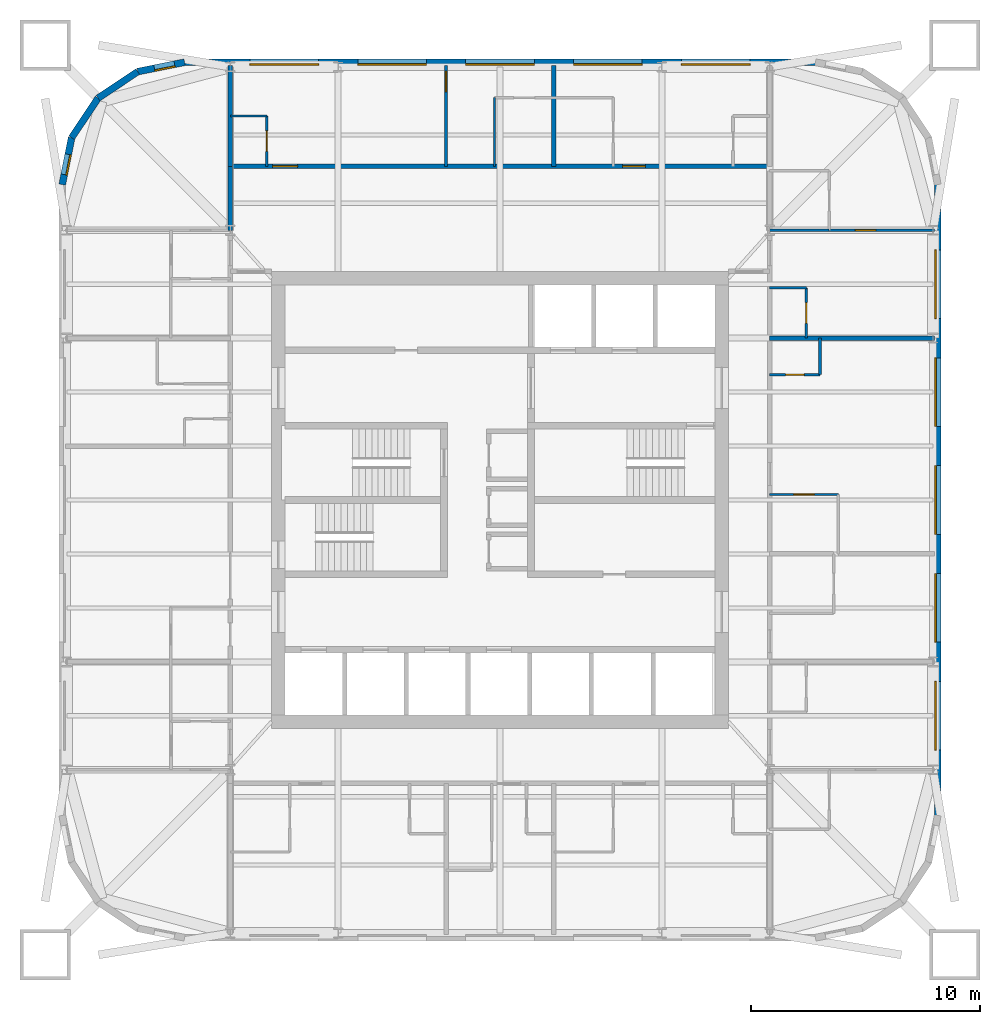
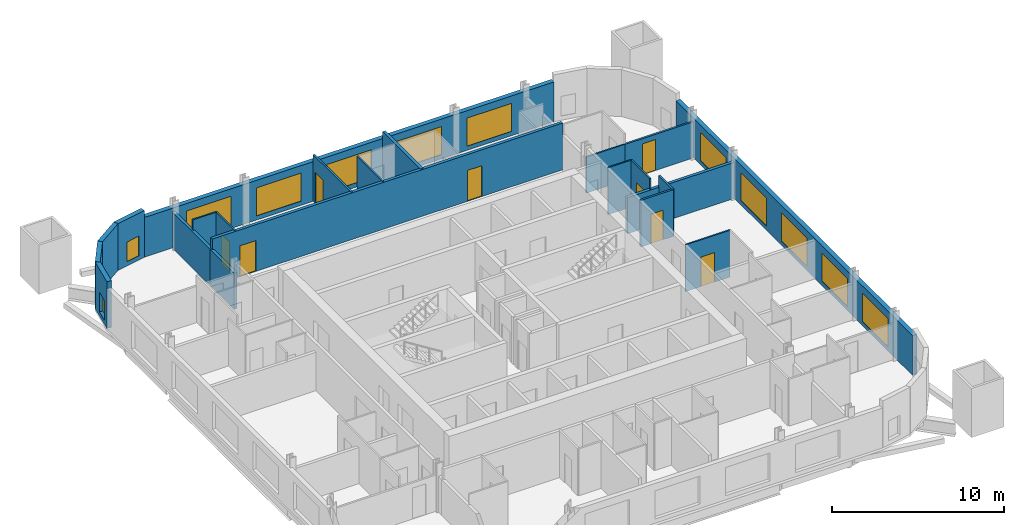
# One storey, part 6 of 8: 22 walls, 12 windows, 8 doors, 20 openings.
"""IFC4 building model written with IfcOpenShell, lengths in metres."""

from ifc_helpers import new_model, si_unit, direction, frame, frame_2d, origin, place, context, subcontext, project, spatial, rectangle, extrude, material, layer, layer_set, type_object, element, fill, save


model = new_model("IFC4")

# Units and contexts
model_context = context("Model", 3, precision=1e-05, world=origin(), true_north=direction((0.0, 1.0)))
body_context = subcontext(model_context, "Body", "Model", "MODEL_VIEW")
ifc_project = project(units=[si_unit("LENGTHUNIT", "METRE"), si_unit("AREAUNIT", "SQUARE_METRE"), si_unit("VOLUMEUNIT", "CUBIC_METRE"), si_unit("PLANEANGLEUNIT", "RADIAN"), si_unit("MASSUNIT", "GRAM", prefix="KILO")], contexts=[model_context])

# Site, building, storey
site_placement = place(None, origin())
site = spatial("IfcSite", under=ifc_project, at=site_placement, CompositionType="ELEMENT")
building_placement = place(site_placement, origin())
building = spatial("IfcBuilding", under=site, at=building_placement, Name="Turquesa Mirador Hotel Tower", CompositionType="ELEMENT")
storey_placement = place(building_placement, frame((0.0, 0.0, 165.300048828125)))
storey = spatial("IfcBuildingStorey", under=building, at=storey_placement, Name="L44", CompositionType="ELEMENT", Elevation=165.300048828125)

# Wall, opening, door
ifc_material_1 = material(Name="Gypsum board on steel studs", Category="steel")
ifc_layer_1 = layer(ifc_material_1, 0.10009765625)
ifc_layer_set_1 = layer_set([ifc_layer_1], Name="BATHROOM WALL 100")
wall_type_1 = type_object("IfcWallType", Name="BATHROOM WALL 100", PredefinedType="PARTITIONING", material=ifc_layer_set_1)
wall_1_placement = place(storey_placement, frame((66.800048828125, 45.239990234375, 0.0), z_axis=(0.0, 0.0, 1.0), x_axis=(1.0, 0.0, 0.0)))
wall_1 = element("IfcWall", 1, at=wall_1_placement, inside=storey, type_object=wall_type_1, Name="Partition L44 020", PredefinedType="PARTITIONING", context=body_context, shape_type="SweptSolid", body=[
    extrude(rectangle(XDim=3.0, YDim=0.10009765625, at=frame_2d((1.5, 0.0))), origin(), (0.0, 0.0, 1.0), 3.329833984375),
])
opening_1_placement = place(wall_1_placement, frame((1.050048828125, 0.0, 0.0)))
opening_1 = element("IfcOpeningElement", 2, at=opening_1_placement, cuts=wall_1, Name="Opening D02", PredefinedType="OPENING", context=body_context, shape_type="SweptSolid", body=[
    extrude(rectangle(XDim=0.89990234375, YDim=2.10009765625, at=frame_2d((0.449951171875, 1.050048828125))), frame((0.0, 0.06005859375, 0.0), z_axis=(0.0, -1.0, 0.0), x_axis=(1.0, 0.0, 0.0)), (0.0, 0.0, 1.0), 0.1201171875),
])
ifc_material_2 = material(Name="Timber veneered door", Category="wood")
door_type_1 = type_object("IfcDoorType", Name="DOOR 900X2100 EN-SUITE", OperationType="SINGLE_SWING_RIGHT", PredefinedType="DOOR", material=ifc_material_2)
door_1_placement = place(opening_1_placement, origin())
door_1 = element("IfcDoor", 3, at=door_1_placement, inside=storey, type_object=door_type_1, Name="Door 4407B", OperationType="SINGLE_SWING_RIGHT", OverallHeight=2.10009765625, OverallWidth=0.89990234375, PredefinedType="DOOR", context=body_context, shape_type="SweptSolid", body=[
    extrude(rectangle(XDim=0.89990234375, YDim=2.10009765625, at=frame_2d((0.449951171875, 1.050048828125))), frame((0.0, 0.02490234375, 0.0), z_axis=(0.0, -1.0, 0.0), x_axis=(1.0, 0.0, 0.0)), (0.0, 0.0, 1.0), 0.050048828125),
])
fill(opening_1, door_1)

# Walls
wall_2_placement = place(storey_placement, frame((66.800048828125, 56.800048828125, 0.0), z_axis=(0.0, 0.0, 1.0), x_axis=(1.0, 0.0, 0.0)))
element("IfcWall", 4, at=wall_2_placement, inside=storey, type_object=wall_type_1, Name="Partition L44 023", PredefinedType="PARTITIONING", context=body_context, shape_type="SweptSolid", body=[
    extrude(rectangle(XDim=2.599853515625, YDim=0.10009765625, at=frame_2d((1.2998046875, 0.0))), origin(), (0.0, 0.0, 1.0), 2.572998046875),
])
wall_3_placement = place(storey_placement, frame((43.199951171875, 61.800048828125, 0.0), z_axis=(0.0, 0.0, 1.0), x_axis=(1.0, 0.0, 0.0)))
element("IfcWall", 5, at=wall_3_placement, inside=storey, type_object=wall_type_1, Name="Partition L44 028", PredefinedType="PARTITIONING", context=body_context, shape_type="SweptSolid", body=[
    extrude(rectangle(XDim=1.60009765625, YDim=0.10009765625, at=frame_2d((0.800048828125, 0.0))), origin(), (0.0, 0.0, 1.0), 3.329833984375),
])
wall_4_placement = place(storey_placement, frame((66.800048828125, 54.280029296875, 0.0), z_axis=(0.0, 0.0, 1.0), x_axis=(1.0, 0.0, 0.0)))
element("IfcWall", 6, at=wall_4_placement, inside=storey, type_object=wall_type_1, Name="Partition L44 037", PredefinedType="PARTITIONING", context=body_context, shape_type="SweptSolid", body=[
    extrude(rectangle(XDim=1.599853515625, YDim=0.10009765625, at=frame_2d((0.7998046875, 0.0))), origin(), (0.0, 0.0, 1.0), 3.329833984375),
])
wall_5_placement = place(storey_placement, frame((54.760009765625, 59.60009765625, 0.0), z_axis=(0.0, 0.0, 1.0), x_axis=(0.0, 1.0, 0.0)))
element("IfcWall", 7, at=wall_5_placement, inside=storey, type_object=wall_type_1, Name="Partition L44 039", PredefinedType="PARTITIONING", context=body_context, shape_type="SweptSolid", body=[
    extrude(rectangle(XDim=3.0, YDim=0.10009765625, at=frame_2d((1.5, 0.0))), origin(), (0.0, 0.0, 1.0), 3.329833984375),
])

# Wall, opening, door
wall_6_placement = place(storey_placement, frame((44.800048828125, 59.60009765625, 0.0), z_axis=(0.0, 0.0, 1.0), x_axis=(0.0, 1.0, 0.0)))
wall_6 = element("IfcWall", 8, at=wall_6_placement, inside=storey, type_object=wall_type_1, Name="Partition L44 041", PredefinedType="PARTITIONING", context=body_context, shape_type="SweptSolid", body=[
    extrude(rectangle(XDim=2.199951171875, YDim=0.10009765625, at=frame_2d((1.10009765625, 0.0))), origin(), (0.0, 0.0, 1.0), 3.329833984375),
])
opening_2_placement = place(wall_6_placement, frame((0.64990234375, 0.0, 0.0)))
opening_2 = element("IfcOpeningElement", 9, at=opening_2_placement, cuts=wall_6, Name="Opening D06", PredefinedType="OPENING", context=body_context, shape_type="SweptSolid", body=[
    extrude(rectangle(XDim=0.89990234375, YDim=2.10009765625, at=frame_2d((0.449951171875, 1.050048828125))), frame((0.0, 0.06005859375, 0.0), z_axis=(0.0, -1.0, 0.0), x_axis=(1.0, 0.0, 0.0)), (0.0, 0.0, 1.0), 0.1201171875),
])
ifc_material_3 = material(Name="Laminate door", Category="wood")
door_type_2 = type_object("IfcDoorType", Name="DOOR 900X2100 WC", OperationType="SINGLE_SWING_LEFT", PredefinedType="DOOR", material=ifc_material_3)
door_2_placement = place(opening_2_placement, origin())
door_2 = element("IfcDoor", 10, at=door_2_placement, inside=storey, type_object=door_type_2, Name="Door 4401W", OperationType="SINGLE_SWING_LEFT", OverallHeight=2.10009765625, OverallWidth=0.89990234375, PredefinedType="DOOR", context=body_context, shape_type="SweptSolid", body=[
    extrude(rectangle(XDim=0.89990234375, YDim=2.10009765625, at=frame_2d((0.449951171875, 1.050048828125))), frame((0.0, 0.02490234375, 0.0), z_axis=(0.0, -1.0, 0.0), x_axis=(1.0, 0.0, 0.0)), (0.0, 0.0, 1.0), 0.050048828125),
])
fill(opening_2, door_2)

wall_7_placement = place(storey_placement, frame((68.39990234375, 52.080078125, 0.0), z_axis=(0.0, 0.0, 1.0), x_axis=(0.0, 1.0, 0.0)))
wall_7 = element("IfcWall", 11, at=wall_7_placement, inside=storey, type_object=wall_type_1, Name="Partition L44 063", PredefinedType="PARTITIONING", context=body_context, shape_type="SweptSolid", body=[
    extrude(rectangle(XDim=2.199951171875, YDim=0.10009765625, at=frame_2d((1.10009765625, 0.0))), origin(), (0.0, 0.0, 1.0), 3.329833984375),
])
opening_3_placement = place(wall_7_placement, frame((0.64990234375, 0.0, 0.0)))
opening_3 = element("IfcOpeningElement", 12, at=opening_3_placement, cuts=wall_7, Name="Opening D06", PredefinedType="OPENING", context=body_context, shape_type="SweptSolid", body=[
    extrude(rectangle(XDim=0.89990234375, YDim=2.10009765625, at=frame_2d((0.449951171875, 1.050048828125))), frame((0.0, 0.06005859375, 0.0), z_axis=(0.0, -1.0, 0.0), x_axis=(1.0, 0.0, 0.0)), (0.0, 0.0, 1.0), 0.1201171875),
])
door_3_placement = place(opening_3_placement, origin())
door_3 = element("IfcDoor", 13, at=door_3_placement, inside=storey, type_object=door_type_2, Name="Door 4409W", OperationType="SINGLE_SWING_LEFT", OverallHeight=2.10009765625, OverallWidth=0.89990234375, PredefinedType="DOOR", context=body_context, shape_type="SweptSolid", body=[
    extrude(rectangle(XDim=0.89990234375, YDim=2.10009765625, at=frame_2d((0.449951171875, 1.050048828125))), frame((0.0, 0.02490234375, 0.0), z_axis=(0.0, -1.0, 0.0), x_axis=(1.0, 0.0, 0.0)), (0.0, 0.0, 1.0), 0.050048828125),
])
fill(opening_3, door_3)

# Wall, openings, doors
ifc_material_4 = material(Name="Fire-rated gypsum board on steel studs", Category="steel")
ifc_layer_2 = layer(ifc_material_4, 0.199951171875)
ifc_layer_set_2 = layer_set([ifc_layer_2], Name="CORRIDOR WALL 200")
wall_type_2 = type_object("IfcWallType", Name="CORRIDOR WALL 200", PredefinedType="PARTITIONING", material=ifc_layer_set_2)
wall_8_placement = place(storey_placement, frame((43.199951171875, 59.60009765625, 0.0), z_axis=(0.0, 0.0, 1.0), x_axis=(1.0, 0.0, 0.0)))
wall_8 = element("IfcWall", 14, at=wall_8_placement, inside=storey, type_object=wall_type_2, Name="Partition L44 027", PredefinedType="PARTITIONING", context=body_context, shape_type="SweptSolid", body=[
    extrude(rectangle(XDim=23.60009765625, YDim=0.199951171875, at=frame_2d((11.800048828125, 0.0))), origin(), (0.0, 0.0, 1.0), 3.329833984375),
])
opening_4_placement = place(wall_8_placement, frame((1.85009765625, 0.0, 0.0)))
opening_4 = element("IfcOpeningElement", 15, at=opening_4_placement, cuts=wall_8, Name="Opening D15", PredefinedType="OPENING", context=body_context, shape_type="SweptSolid", body=[
    extrude(rectangle(XDim=1.10009765625, YDim=2.199951171875, at=frame_2d((0.550048828125, 1.10009765625))), frame((0.0, 0.10986328125, 0.0), z_axis=(0.0, -1.0, 0.0), x_axis=(1.0, 0.0, 0.0)), (0.0, 0.0, 1.0), 0.219970703125),
])
opening_5_placement = place(wall_8_placement, frame((17.159912109375, 0.0, 0.0)))
opening_5 = element("IfcOpeningElement", 16, at=opening_5_placement, cuts=wall_8, Name="Opening D01", PredefinedType="OPENING", context=body_context, shape_type="SweptSolid", body=[
    extrude(rectangle(XDim=1.0, YDim=2.199951171875, at=frame_2d((0.5, 1.10009765625))), frame((0.0, 0.10986328125, 0.0), z_axis=(0.0, -1.0, 0.0), x_axis=(1.0, 0.0, 0.0)), (0.0, 0.0, 1.0), 0.219970703125),
])
ifc_material_5 = material(Name="Timber veneered fire door", Category="wood")
door_type_3 = type_object("IfcDoorType", Name="DOOR 1000X2200 GUEST ENTRY", OperationType="SINGLE_SWING_LEFT", PredefinedType="DOOR", material=ifc_material_5)
door_4_placement = place(opening_5_placement, origin())
door_4 = element("IfcDoor", 17, at=door_4_placement, inside=storey, type_object=door_type_3, Name="Door 4402", OperationType="SINGLE_SWING_LEFT", OverallHeight=2.199951171875, OverallWidth=1.0, PredefinedType="DOOR", context=body_context, shape_type="SweptSolid", body=[
    extrude(rectangle(XDim=1.0, YDim=2.199951171875, at=frame_2d((0.5, 1.10009765625))), frame((0.0, 0.02490234375, 0.0), z_axis=(0.0, -1.0, 0.0), x_axis=(1.0, 0.0, 0.0)), (0.0, 0.0, 1.0), 0.050048828125),
])
fill(opening_5, door_4)
ifc_material_6 = material(Name="Timber veneered fire door", Category="wood")
door_type_4 = type_object("IfcDoorType", Name="DOOR 1100X2200 SUITE ENTRY", OperationType="SINGLE_SWING_LEFT", PredefinedType="DOOR", material=ifc_material_6)
door_5_placement = place(opening_4_placement, origin())
door_5 = element("IfcDoor", 18, at=door_5_placement, inside=storey, type_object=door_type_4, Name="Door 4401", OperationType="SINGLE_SWING_LEFT", OverallHeight=2.199951171875, OverallWidth=1.10009765625, PredefinedType="DOOR", context=body_context, shape_type="SweptSolid", body=[
    extrude(rectangle(XDim=1.10009765625, YDim=2.199951171875, at=frame_2d((0.550048828125, 1.10009765625))), frame((0.0, 0.02490234375, 0.0), z_axis=(0.0, -1.0, 0.0), x_axis=(1.0, 0.0, 0.0)), (0.0, 0.0, 1.0), 0.050048828125),
])
fill(opening_4, door_5)

# Wall
wall_9_placement = place(storey_placement, frame((43.199951171875, 56.780029296875, 0.0), z_axis=(0.0, 0.0, 1.0), x_axis=(0.0, 1.0, 0.0)))
element("IfcWall", 19, at=wall_9_placement, inside=storey, type_object=wall_type_2, Name="Partition L44 074", PredefinedType="PARTITIONING", context=body_context, shape_type="SweptSolid", body=[
    extrude(rectangle(XDim=2.820068359375, YDim=0.199951171875, at=frame_2d((1.41015625, 0.0))), origin(), (0.0, 0.0, 1.0), 2.572998046875),
])

# Wall, openings, windows
ifc_material_7 = material(Name="Limestone cladding on concrete block", Category="masonry")
ifc_layer_3 = layer(ifc_material_7, 0.300048828125)
ifc_layer_set_3 = layer_set([ifc_layer_3], Name="FACADE WALL 300 STONE SCREEN")
wall_type_3 = type_object("IfcWallType", Name="FACADE WALL 300 STONE SCREEN", PredefinedType="SOLIDWALL", material=ifc_layer_set_3)
wall_10_placement = place(storey_placement, frame((74.14990234375, 31.199951171875, 0.0), z_axis=(0.0, 0.0, 1.0), x_axis=(0.0, 1.0, 0.0)))
wall_10 = element("IfcWall", 20, at=wall_10_placement, inside=storey, type_object=wall_type_3, Name="Facade wall L44 04", PredefinedType="SOLIDWALL", context=body_context, shape_type="SweptSolid", body=[
    extrude(rectangle(XDim=27.60009765625, YDim=0.300048828125, at=frame_2d((13.800048828125, 0.0))), origin(), (0.0, 0.0, 1.0), 2.829833984375),
])
opening_6_placement = place(wall_10_placement, frame((2.860107421875, 0.0, 0.300048828125)))
opening_6 = element("IfcOpeningElement", 21, at=opening_6_placement, cuts=wall_10, Name="Opening WN1", PredefinedType="OPENING", context=body_context, shape_type="SweptSolid", body=[
    extrude(rectangle(XDim=3.0, YDim=2.0, at=frame_2d((1.5, 1.0))), frame((0.0, 0.159912109375, 0.0), z_axis=(0.0, -1.0, 0.0), x_axis=(1.0, 0.0, 0.0)), (0.0, 0.0, 1.0), 0.320068359375),
])
opening_7_placement = place(wall_10_placement, frame((7.580078125, 0.0, 0.300048828125)))
opening_7 = element("IfcOpeningElement", 22, at=opening_7_placement, cuts=wall_10, Name="Opening WN1", PredefinedType="OPENING", context=body_context, shape_type="SweptSolid", body=[
    extrude(rectangle(XDim=3.0, YDim=2.0, at=frame_2d((1.5, 1.0))), frame((0.0, 0.159912109375, 0.0), z_axis=(0.0, -1.0, 0.0), x_axis=(1.0, 0.0, 0.0)), (0.0, 0.0, 1.0), 0.320068359375),
])
opening_8_placement = place(wall_10_placement, frame((12.300048828125, 0.0, 0.300048828125)))
opening_8 = element("IfcOpeningElement", 23, at=opening_8_placement, cuts=wall_10, Name="Opening WN1", PredefinedType="OPENING", context=body_context, shape_type="SweptSolid", body=[
    extrude(rectangle(XDim=3.0, YDim=2.0, at=frame_2d((1.5, 1.0))), frame((0.0, 0.159912109375, 0.0), z_axis=(0.0, -1.0, 0.0), x_axis=(1.0, 0.0, 0.0)), (0.0, 0.0, 1.0), 0.320068359375),
])
opening_9_placement = place(wall_10_placement, frame((17.02001953125, 0.0, 0.300048828125)))
opening_9 = element("IfcOpeningElement", 24, at=opening_9_placement, cuts=wall_10, Name="Opening WN1", PredefinedType="OPENING", context=body_context, shape_type="SweptSolid", body=[
    extrude(rectangle(XDim=3.0, YDim=2.0, at=frame_2d((1.5, 1.0))), frame((0.0, 0.159912109375, 0.0), z_axis=(0.0, -1.0, 0.0), x_axis=(1.0, 0.0, 0.0)), (0.0, 0.0, 1.0), 0.320068359375),
])
opening_10_placement = place(wall_10_placement, frame((21.739990234375, 0.0, 0.300048828125)))
opening_10 = element("IfcOpeningElement", 25, at=opening_10_placement, cuts=wall_10, Name="Opening WN1", PredefinedType="OPENING", context=body_context, shape_type="SweptSolid", body=[
    extrude(rectangle(XDim=3.0, YDim=2.0, at=frame_2d((1.5, 1.0))), frame((0.0, 0.159912109375, 0.0), z_axis=(0.0, -1.0, 0.0), x_axis=(1.0, 0.0, 0.0)), (0.0, 0.0, 1.0), 0.320068359375),
])
ifc_material_8 = material(Name="Ceramic-fritted laminated glass", Category="glass")
window_type_1 = type_object("IfcWindowType", Name="FRITTED WINDOW 3000X2000", PartitioningType="DOUBLE_PANEL_HORIZONTAL", PredefinedType="WINDOW", material=ifc_material_8)
window_1_placement = place(opening_6_placement, origin())
window_1 = element("IfcWindow", 26, at=window_1_placement, inside=storey, type_object=window_type_1, Name="Window L44", OverallHeight=2.0, OverallWidth=3.0, PartitioningType="SINGLE_PANEL", PredefinedType="WINDOW", context=body_context, shape_type="SweptSolid", body=[
    extrude(rectangle(XDim=3.0, YDim=2.0, at=frame_2d((1.5, 1.0))), frame((0.0, 0.130126953125, 0.0), z_axis=(0.0, -1.0, 0.0), x_axis=(1.0, 0.0, 0.0)), (0.0, 0.0, 1.0), 0.06005859375),
])
fill(opening_6, window_1)
window_2_placement = place(opening_7_placement, origin())
window_2 = element("IfcWindow", 27, at=window_2_placement, inside=storey, type_object=window_type_1, Name="Window L44", OverallHeight=2.0, OverallWidth=3.0, PartitioningType="SINGLE_PANEL", PredefinedType="WINDOW", context=body_context, shape_type="SweptSolid", body=[
    extrude(rectangle(XDim=3.0, YDim=2.0, at=frame_2d((1.5, 1.0))), frame((0.0, 0.130126953125, 0.0), z_axis=(0.0, -1.0, 0.0), x_axis=(1.0, 0.0, 0.0)), (0.0, 0.0, 1.0), 0.06005859375),
])
fill(opening_7, window_2)
window_3_placement = place(opening_8_placement, origin())
window_3 = element("IfcWindow", 28, at=window_3_placement, inside=storey, type_object=window_type_1, Name="Window L44", OverallHeight=2.0, OverallWidth=3.0, PartitioningType="SINGLE_PANEL", PredefinedType="WINDOW", context=body_context, shape_type="SweptSolid", body=[
    extrude(rectangle(XDim=3.0, YDim=2.0, at=frame_2d((1.5, 1.0))), frame((0.0, 0.130126953125, 0.0), z_axis=(0.0, -1.0, 0.0), x_axis=(1.0, 0.0, 0.0)), (0.0, 0.0, 1.0), 0.06005859375),
])
fill(opening_8, window_3)
window_4_placement = place(opening_9_placement, origin())
window_4 = element("IfcWindow", 29, at=window_4_placement, inside=storey, type_object=window_type_1, Name="Window L44", OverallHeight=2.0, OverallWidth=3.0, PartitioningType="SINGLE_PANEL", PredefinedType="WINDOW", context=body_context, shape_type="SweptSolid", body=[
    extrude(rectangle(XDim=3.0, YDim=2.0, at=frame_2d((1.5, 1.0))), frame((0.0, 0.130126953125, 0.0), z_axis=(0.0, -1.0, 0.0), x_axis=(1.0, 0.0, 0.0)), (0.0, 0.0, 1.0), 0.06005859375),
])
fill(opening_9, window_4)
window_5_placement = place(opening_10_placement, origin())
window_5 = element("IfcWindow", 30, at=window_5_placement, inside=storey, type_object=window_type_1, Name="Window L44", OverallHeight=2.0, OverallWidth=3.0, PartitioningType="SINGLE_PANEL", PredefinedType="WINDOW", context=body_context, shape_type="SweptSolid", body=[
    extrude(rectangle(XDim=3.0, YDim=2.0, at=frame_2d((1.5, 1.0))), frame((0.0, 0.130126953125, 0.0), z_axis=(0.0, -1.0, 0.0), x_axis=(1.0, 0.0, 0.0)), (0.0, 0.0, 1.0), 0.06005859375),
])
fill(opening_10, window_5)

wall_11_placement = place(storey_placement, frame((68.800048828125, 64.14990234375, 0.0), z_axis=(0.0, 0.0, 1.0), x_axis=(-1.0, 0.0, 0.0)))
wall_11 = element("IfcWall", 31, at=wall_11_placement, inside=storey, type_object=wall_type_3, Name="Facade wall L44 09", PredefinedType="SOLIDWALL", context=body_context, shape_type="SweptSolid", body=[
    extrude(rectangle(XDim=27.60009765625, YDim=0.300048828125, at=frame_2d((13.800048828125, 0.0))), origin(), (0.0, 0.0, 1.0), 2.829833984375),
])
opening_11_placement = place(wall_11_placement, frame((2.860107421875, 0.0, 0.300048828125)))
opening_11 = element("IfcOpeningElement", 32, at=opening_11_placement, cuts=wall_11, Name="Opening WN1", PredefinedType="OPENING", context=body_context, shape_type="SweptSolid", body=[
    extrude(rectangle(XDim=3.0, YDim=2.0, at=frame_2d((1.5, 1.0))), frame((0.0, 0.159912109375, 0.0), z_axis=(0.0, -1.0, 0.0), x_axis=(1.0, 0.0, 0.0)), (0.0, 0.0, 1.0), 0.320068359375),
])
opening_12_placement = place(wall_11_placement, frame((7.580078125, 0.0, 0.300048828125)))
opening_12 = element("IfcOpeningElement", 33, at=opening_12_placement, cuts=wall_11, Name="Opening WN1", PredefinedType="OPENING", context=body_context, shape_type="SweptSolid", body=[
    extrude(rectangle(XDim=3.0, YDim=2.0, at=frame_2d((1.5, 1.0))), frame((0.0, 0.159912109375, 0.0), z_axis=(0.0, -1.0, 0.0), x_axis=(1.0, 0.0, 0.0)), (0.0, 0.0, 1.0), 0.320068359375),
])
opening_13_placement = place(wall_11_placement, frame((12.300048828125, 0.0, 0.300048828125)))
opening_13 = element("IfcOpeningElement", 34, at=opening_13_placement, cuts=wall_11, Name="Opening WN1", PredefinedType="OPENING", context=body_context, shape_type="SweptSolid", body=[
    extrude(rectangle(XDim=3.0, YDim=2.0, at=frame_2d((1.5, 1.0))), frame((0.0, 0.159912109375, 0.0), z_axis=(0.0, -1.0, 0.0), x_axis=(1.0, 0.0, 0.0)), (0.0, 0.0, 1.0), 0.320068359375),
])
opening_14_placement = place(wall_11_placement, frame((17.02001953125, 0.0, 0.300048828125)))
opening_14 = element("IfcOpeningElement", 35, at=opening_14_placement, cuts=wall_11, Name="Opening WN1", PredefinedType="OPENING", context=body_context, shape_type="SweptSolid", body=[
    extrude(rectangle(XDim=3.0, YDim=2.0, at=frame_2d((1.5, 1.0))), frame((0.0, 0.159912109375, 0.0), z_axis=(0.0, -1.0, 0.0), x_axis=(1.0, 0.0, 0.0)), (0.0, 0.0, 1.0), 0.320068359375),
])
opening_15_placement = place(wall_11_placement, frame((21.739990234375, 0.0, 0.300048828125)))
opening_15 = element("IfcOpeningElement", 36, at=opening_15_placement, cuts=wall_11, Name="Opening WN1", PredefinedType="OPENING", context=body_context, shape_type="SweptSolid", body=[
    extrude(rectangle(XDim=3.0, YDim=2.0, at=frame_2d((1.5, 1.0))), frame((0.0, 0.159912109375, 0.0), z_axis=(0.0, -1.0, 0.0), x_axis=(1.0, 0.0, 0.0)), (0.0, 0.0, 1.0), 0.320068359375),
])
window_6_placement = place(opening_11_placement, origin())
window_6 = element("IfcWindow", 37, at=window_6_placement, inside=storey, type_object=window_type_1, Name="Window L44", OverallHeight=2.0, OverallWidth=3.0, PartitioningType="SINGLE_PANEL", PredefinedType="WINDOW", context=body_context, shape_type="SweptSolid", body=[
    extrude(rectangle(XDim=3.0, YDim=2.0, at=frame_2d((1.5, 1.0))), frame((0.0, 0.130126953125, 0.0), z_axis=(0.0, -1.0, 0.0), x_axis=(1.0, 0.0, 0.0)), (0.0, 0.0, 1.0), 0.06005859375),
])
fill(opening_11, window_6)
window_7_placement = place(opening_12_placement, origin())
window_7 = element("IfcWindow", 38, at=window_7_placement, inside=storey, type_object=window_type_1, Name="Window L44", OverallHeight=2.0, OverallWidth=3.0, PartitioningType="SINGLE_PANEL", PredefinedType="WINDOW", context=body_context, shape_type="SweptSolid", body=[
    extrude(rectangle(XDim=3.0, YDim=2.0, at=frame_2d((1.5, 1.0))), frame((0.0, 0.130126953125, 0.0), z_axis=(0.0, -1.0, 0.0), x_axis=(1.0, 0.0, 0.0)), (0.0, 0.0, 1.0), 0.06005859375),
])
fill(opening_12, window_7)
window_8_placement = place(opening_13_placement, origin())
window_8 = element("IfcWindow", 39, at=window_8_placement, inside=storey, type_object=window_type_1, Name="Window L44", OverallHeight=2.0, OverallWidth=3.0, PartitioningType="SINGLE_PANEL", PredefinedType="WINDOW", context=body_context, shape_type="SweptSolid", body=[
    extrude(rectangle(XDim=3.0, YDim=2.0, at=frame_2d((1.5, 1.0))), frame((0.0, 0.130126953125, 0.0), z_axis=(0.0, -1.0, 0.0), x_axis=(1.0, 0.0, 0.0)), (0.0, 0.0, 1.0), 0.06005859375),
])
fill(opening_13, window_8)
window_9_placement = place(opening_14_placement, origin())
window_9 = element("IfcWindow", 40, at=window_9_placement, inside=storey, type_object=window_type_1, Name="Window L44", OverallHeight=2.0, OverallWidth=3.0, PartitioningType="SINGLE_PANEL", PredefinedType="WINDOW", context=body_context, shape_type="SweptSolid", body=[
    extrude(rectangle(XDim=3.0, YDim=2.0, at=frame_2d((1.5, 1.0))), frame((0.0, 0.130126953125, 0.0), z_axis=(0.0, -1.0, 0.0), x_axis=(1.0, 0.0, 0.0)), (0.0, 0.0, 1.0), 0.06005859375),
])
fill(opening_14, window_9)
window_10_placement = place(opening_15_placement, origin())
window_10 = element("IfcWindow", 41, at=window_10_placement, inside=storey, type_object=window_type_1, Name="Window L44", OverallHeight=2.0, OverallWidth=3.0, PartitioningType="SINGLE_PANEL", PredefinedType="WINDOW", context=body_context, shape_type="SweptSolid", body=[
    extrude(rectangle(XDim=3.0, YDim=2.0, at=frame_2d((1.5, 1.0))), frame((0.0, 0.130126953125, 0.0), z_axis=(0.0, -1.0, 0.0), x_axis=(1.0, 0.0, 0.0)), (0.0, 0.0, 1.0), 0.06005859375),
])
fill(opening_15, window_10)

# Wall, opening, window
wall_12_placement = place(storey_placement, frame((41.199951171875, 64.14990234375, 0.0), z_axis=(0.0, 0.0, 1.0), x_axis=(-0.980787050784, -0.195081421501, 0.0)))
wall_12 = element("IfcWall", 42, at=wall_12_placement, inside=storey, type_object=wall_type_3, Name="Facade wall L44 10", PredefinedType="SOLIDWALL", context=body_context, shape_type="SweptSolid", body=[
    extrude(rectangle(XDim=2.08740234375, YDim=0.300048828125, at=frame_2d((1.043701171875, 0.0))), origin(), (0.0, 0.0, 1.0), 3.329833984375),
])
opening_16_placement = place(wall_12_placement, frame((0.443603515625, 0.0, 0.300048828125)))
opening_16 = element("IfcOpeningElement", 43, at=opening_16_placement, cuts=wall_12, Name="Opening WN22", PredefinedType="OPENING", context=body_context, shape_type="SweptSolid", body=[
    extrude(rectangle(XDim=0.89990234375, YDim=1.39990234375, at=frame_2d((0.449951171875, 0.699951171875))), frame((0.0, 0.159912109375, 0.0), z_axis=(0.0, -1.0, 0.0), x_axis=(1.0, 0.0, 0.0)), (0.0, 0.0, 1.0), 0.320068359375),
])
ifc_material_9 = material(Name="Ceramic-fritted laminated glass", Category="glass")
window_type_2 = type_object("IfcWindowType", Name="FRITTED CORNER WINDOW 900X1400", PartitioningType="DOUBLE_PANEL_HORIZONTAL", PredefinedType="WINDOW", material=ifc_material_9)
window_11_placement = place(opening_16_placement, origin())
window_11 = element("IfcWindow", 44, at=window_11_placement, inside=storey, type_object=window_type_2, Name="Window L44", OverallHeight=1.39990234375, OverallWidth=0.89990234375, PartitioningType="SINGLE_PANEL", PredefinedType="WINDOW", context=body_context, shape_type="SweptSolid", body=[
    extrude(rectangle(XDim=0.89990234375, YDim=1.39990234375, at=frame_2d((0.449951171875, 0.699951171875))), frame((0.0, 0.130126953125, 0.0), z_axis=(0.0, -1.0, 0.0), x_axis=(1.0, 0.0, 0.0)), (0.0, 0.0, 1.0), 0.06005859375),
])
fill(opening_16, window_11)

# Walls
for number, where, z_axis, x_axis, name in (
    (45, (39.152587890625, 63.74267578125, 0.0), (0.0, 0.0, 1.0), (-0.831474039234, -0.555563607591, 0.0), "Facade wall L44 11"),
    (46, (37.4169921875, 62.5830078125, 0.0), (0.0, 0.0, 1.0), (-0.555563607591, -0.831474039234, 0.0), "Facade wall L44 12"),
):
    element("IfcWall", number, at=place(storey_placement, frame(where, z_axis=z_axis, x_axis=x_axis)), inside=storey, type_object=wall_type_3, Name=name, PredefinedType="SOLIDWALL", context=body_context, shape_type="SweptSolid", body=[
        extrude(rectangle(XDim=2.08740234375, YDim=0.300048828125, at=frame_2d((1.043701171875, 0.0))), origin(), (0.0, 0.0, 1.0), 3.329833984375),
    ])

# Wall, opening, window
wall_13_placement = place(storey_placement, frame((36.25732421875, 60.847412109375, 0.0), z_axis=(0.0, 0.0, 1.0), x_axis=(-0.195081421501, -0.980787050784, 0.0)))
wall_13 = element("IfcWall", 47, at=wall_13_placement, inside=storey, type_object=wall_type_3, Name="Facade wall L44 13", PredefinedType="SOLIDWALL", context=body_context, shape_type="SweptSolid", body=[
    extrude(rectangle(XDim=2.08740234375, YDim=0.300048828125, at=frame_2d((1.043701171875, 0.0))), origin(), (0.0, 0.0, 1.0), 3.329833984375),
])
opening_17_placement = place(wall_13_placement, frame((0.74365234375, 0.0, 0.300048828125)))
opening_17 = element("IfcOpeningElement", 48, at=opening_17_placement, cuts=wall_13, Name="Opening WN22", PredefinedType="OPENING", context=body_context, shape_type="SweptSolid", body=[
    extrude(rectangle(XDim=0.89990234375, YDim=1.39990234375, at=frame_2d((0.449951171875, 0.699951171875))), frame((0.0, 0.159912109375, 0.0), z_axis=(0.0, -1.0, 0.0), x_axis=(1.0, 0.0, 0.0)), (0.0, 0.0, 1.0), 0.320068359375),
])
window_12_placement = place(opening_17_placement, origin())
window_12 = element("IfcWindow", 49, at=window_12_placement, inside=storey, type_object=window_type_2, Name="Window L44", OverallHeight=1.39990234375, OverallWidth=0.89990234375, PartitioningType="SINGLE_PANEL", PredefinedType="WINDOW", context=body_context, shape_type="SweptSolid", body=[
    extrude(rectangle(XDim=0.89990234375, YDim=1.39990234375, at=frame_2d((0.449951171875, 0.699951171875))), frame((0.0, 0.130126953125, 0.0), z_axis=(0.0, -1.0, 0.0), x_axis=(1.0, 0.0, 0.0)), (0.0, 0.0, 1.0), 0.06005859375),
])
fill(opening_17, window_12)

# Walls
ifc_material_10 = material(Name="Fire-rated gypsum board on steel studs", Category="steel")
ifc_layer_4 = layer(ifc_material_10, 0.199951171875)
ifc_layer_set_4 = layer_set([ifc_layer_4], Name="PARTY WALL 200")
wall_type_4 = type_object("IfcWallType", Name="PARTY WALL 200", PredefinedType="PARTITIONING", material=ifc_layer_set_4)
wall_14_placement = place(storey_placement, frame((66.800048828125, 52.080078125, 0.0), z_axis=(0.0, 0.0, 1.0), x_axis=(1.0, 0.0, 0.0)))
element("IfcWall", 50, at=wall_14_placement, inside=storey, type_object=wall_type_4, Name="Partition L44 036", PredefinedType="PARTITIONING", context=body_context, shape_type="SweptSolid", body=[
    extrude(rectangle(XDim=7.199951171875, YDim=0.199951171875, at=frame_2d((3.60009765625, 0.0))), origin(), (0.0, 0.0, 1.0), 2.572998046875),
])
wall_15_placement = place(storey_placement, frame((43.199951171875, 59.60009765625, 0.0), z_axis=(0.0, 0.0, 1.0), x_axis=(0.0, 1.0, 0.0)))
element("IfcWall", 51, at=wall_15_placement, inside=storey, type_object=wall_type_4, Name="Partition L44 044", PredefinedType="PARTITIONING", context=body_context, shape_type="SweptSolid", body=[
    extrude(rectangle(XDim=4.39990234375, YDim=0.199951171875, at=frame_2d((2.199951171875, 0.0))), origin(), (0.0, 0.0, 1.0), 2.572998046875),
])
wall_16_placement = place(storey_placement, frame((57.360107421875, 59.60009765625, 0.0), z_axis=(0.0, 0.0, 1.0), x_axis=(0.0, 1.0, 0.0)))
element("IfcWall", 52, at=wall_16_placement, inside=storey, type_object=wall_type_4, Name="Partition L44 070", PredefinedType="PARTITIONING", context=body_context, shape_type="SweptSolid", body=[
    extrude(rectangle(XDim=4.39990234375, YDim=0.199951171875, at=frame_2d((2.199951171875, 0.0))), origin(), (0.0, 0.0, 1.0), 3.329833984375),
])

# Wall, opening, door
ifc_material_11 = material(Name="Acoustic gypsum board on steel studs", Category="steel")
ifc_layer_5 = layer(ifc_material_11, 0.125)
ifc_layer_set_5 = layer_set([ifc_layer_5], Name="SUITE PARTITION 125")
wall_type_5 = type_object("IfcWallType", Name="SUITE PARTITION 125", PredefinedType="PARTITIONING", material=ifc_layer_set_5)
wall_17_placement = place(storey_placement, frame((69.39990234375, 56.800048828125, 0.0), z_axis=(0.0, 0.0, 1.0), x_axis=(1.0, 0.0, 0.0)))
wall_17 = element("IfcWall", 53, at=wall_17_placement, inside=storey, type_object=wall_type_5, Name="Partition L44 025", PredefinedType="PARTITIONING", context=body_context, shape_type="SweptSolid", body=[
    extrude(rectangle(XDim=4.60009765625, YDim=0.125, at=frame_2d((2.300048828125, 0.0))), origin(), (0.0, 0.0, 1.0), 2.572998046875),
])
opening_18_placement = place(wall_17_placement, frame((1.14990234375, 0.0, 0.0)))
opening_18 = element("IfcOpeningElement", 54, at=opening_18_placement, cuts=wall_17, Name="Opening D17", PredefinedType="OPENING", context=body_context, shape_type="SweptSolid", body=[
    extrude(rectangle(XDim=0.89990234375, YDim=2.199951171875, at=frame_2d((0.449951171875, 1.10009765625))), frame((0.0, 0.072509765625, 0.0), z_axis=(0.0, -1.0, 0.0), x_axis=(1.0, 0.0, 0.0)), (0.0, 0.0, 1.0), 0.14501953125),
])
ifc_material_12 = material(Name="Timber veneered door", Category="wood")
door_type_5 = type_object("IfcDoorType", Name="DOOR 900X2200 SUITE INTERNAL", OperationType="SINGLE_SWING_LEFT", PredefinedType="DOOR", material=ifc_material_12)
door_6_placement = place(opening_18_placement, origin())
door_6 = element("IfcDoor", 55, at=door_6_placement, inside=storey, type_object=door_type_5, Name="Door 4409R", OperationType="SINGLE_SWING_LEFT", OverallHeight=2.199951171875, OverallWidth=0.89990234375, PredefinedType="DOOR", context=body_context, shape_type="SweptSolid", body=[
    extrude(rectangle(XDim=0.89990234375, YDim=2.199951171875, at=frame_2d((0.449951171875, 1.10009765625))), frame((0.0, 0.02490234375, 0.0), z_axis=(0.0, -1.0, 0.0), x_axis=(1.0, 0.0, 0.0)), (0.0, 0.0, 1.0), 0.050048828125),
])
fill(opening_18, door_6)

wall_18_placement = place(storey_placement, frame((66.800048828125, 50.47998046875, 0.0), z_axis=(0.0, 0.0, 1.0), x_axis=(1.0, 0.0, 0.0)))
wall_18 = element("IfcWall", 56, at=wall_18_placement, inside=storey, type_object=wall_type_5, Name="Partition L44 034", PredefinedType="PARTITIONING", context=body_context, shape_type="SweptSolid", body=[
    extrude(rectangle(XDim=2.199951171875, YDim=0.125, at=frame_2d((1.10009765625, 0.0))), origin(), (0.0, 0.0, 1.0), 3.329833984375),
])
opening_19_placement = place(wall_18_placement, frame((0.699951171875, 0.0, 0.0)))
opening_19 = element("IfcOpeningElement", 57, at=opening_19_placement, cuts=wall_18, Name="Opening D20", PredefinedType="OPENING", context=body_context, shape_type="SweptSolid", body=[
    extrude(rectangle(XDim=0.800048828125, YDim=2.10009765625, at=frame_2d((0.39990234375, 1.050048828125))), frame((0.0, 0.072509765625, 0.0), z_axis=(0.0, -1.0, 0.0), x_axis=(1.0, 0.0, 0.0)), (0.0, 0.0, 1.0), 0.14501953125),
])
ifc_material_13 = material(Name="Timber veneered sliding door", Category="wood")
door_type_6 = type_object("IfcDoorType", Name="DOOR 800X2100 WARDROBE", OperationType="SLIDING_TO_LEFT", PredefinedType="DOOR", material=ifc_material_13)
door_7_placement = place(opening_19_placement, origin())
door_7 = element("IfcDoor", 58, at=door_7_placement, inside=storey, type_object=door_type_6, Name="Door 4407W", OperationType="SLIDING_TO_LEFT", OverallHeight=2.10009765625, OverallWidth=0.800048828125, PredefinedType="DOOR", context=body_context, shape_type="SweptSolid", body=[
    extrude(rectangle(XDim=0.800048828125, YDim=2.10009765625, at=frame_2d((0.39990234375, 1.050048828125))), frame((0.0, 0.02490234375, 0.0), z_axis=(0.0, -1.0, 0.0), x_axis=(1.0, 0.0, 0.0)), (0.0, 0.0, 1.0), 0.050048828125),
])
fill(opening_19, door_7)

wall_19_placement = place(storey_placement, frame((52.639892578125, 59.60009765625, 0.0), z_axis=(0.0, 0.0, 1.0), x_axis=(0.0, 1.0, 0.0)))
wall_19 = element("IfcWall", 59, at=wall_19_placement, inside=storey, type_object=wall_type_5, Name="Partition L44 052", PredefinedType="PARTITIONING", context=body_context, shape_type="SweptSolid", body=[
    extrude(rectangle(XDim=4.39990234375, YDim=0.125, at=frame_2d((2.199951171875, 0.0))), origin(), (0.0, 0.0, 1.0), 3.329833984375),
])
opening_20_placement = place(wall_19_placement, frame((3.25, 0.0, 0.0)))
opening_20 = element("IfcOpeningElement", 60, at=opening_20_placement, cuts=wall_19, Name="Opening D17", PredefinedType="OPENING", context=body_context, shape_type="SweptSolid", body=[
    extrude(rectangle(XDim=0.89990234375, YDim=2.199951171875, at=frame_2d((0.449951171875, 1.10009765625))), frame((0.0, 0.072509765625, 0.0), z_axis=(0.0, -1.0, 0.0), x_axis=(1.0, 0.0, 0.0)), (0.0, 0.0, 1.0), 0.14501953125),
])
door_8_placement = place(opening_20_placement, origin())
door_8 = element("IfcDoor", 61, at=door_8_placement, inside=storey, type_object=door_type_5, Name="Door 4401R", OperationType="SINGLE_SWING_LEFT", OverallHeight=2.199951171875, OverallWidth=0.89990234375, PredefinedType="DOOR", context=body_context, shape_type="SweptSolid", body=[
    extrude(rectangle(XDim=0.89990234375, YDim=2.199951171875, at=frame_2d((0.449951171875, 1.10009765625))), frame((0.0, 0.02490234375, 0.0), z_axis=(0.0, -1.0, 0.0), x_axis=(1.0, 0.0, 0.0)), (0.0, 0.0, 1.0), 0.050048828125),
])
fill(opening_20, door_8)

# Wall
wall_20_placement = place(storey_placement, frame((69.0, 50.47998046875, 0.0), z_axis=(0.0, 0.0, 1.0), x_axis=(0.0, 1.0, 0.0)))
element("IfcWall", 62, at=wall_20_placement, inside=storey, type_object=wall_type_5, Name="Partition L44 064", PredefinedType="PARTITIONING", context=body_context, shape_type="SweptSolid", body=[
    extrude(rectangle(XDim=1.60009765625, YDim=0.125, at=frame_2d((0.800048828125, 0.0))), origin(), (0.0, 0.0, 1.0), 3.329833984375),
])

save(model, "model.ifc")
